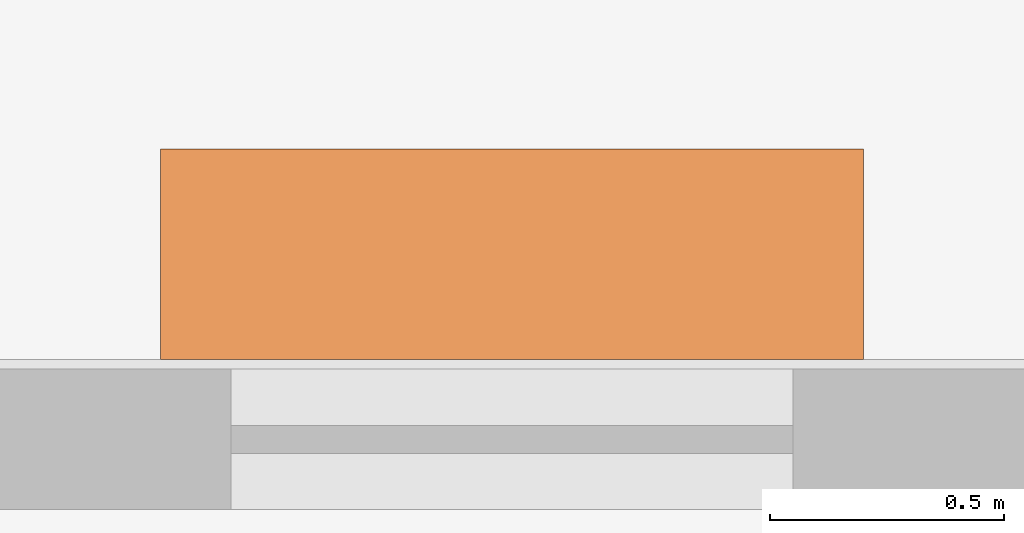
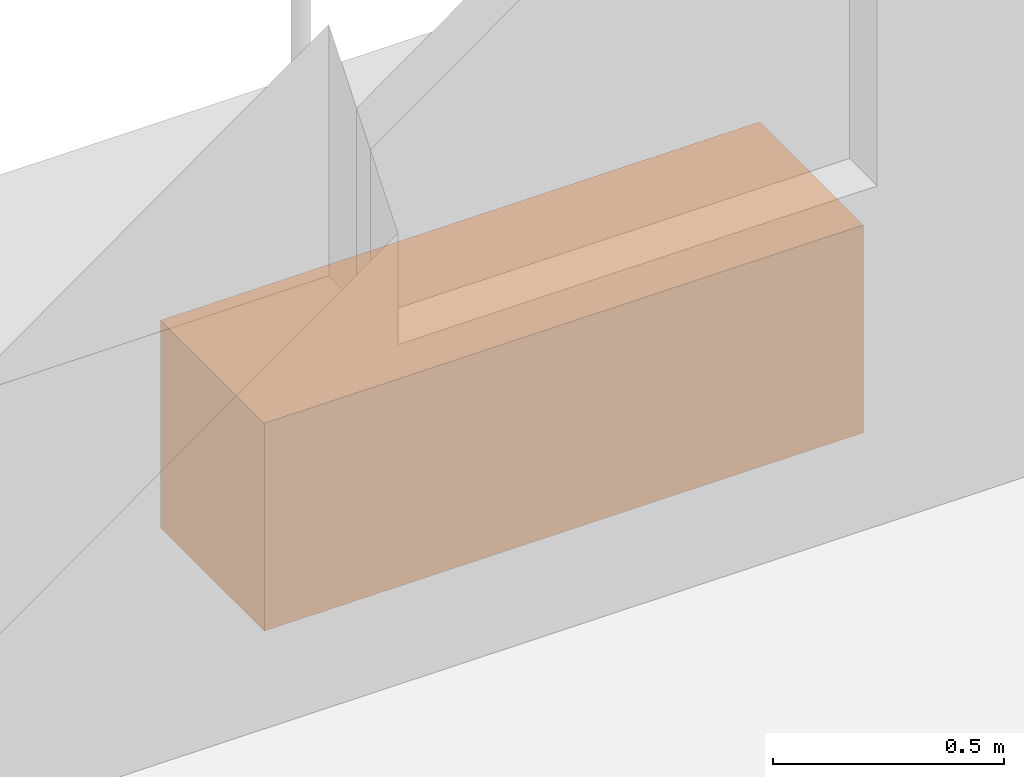
# One storey, part 9 of 9: 1 proxy.
"""IFC4 building model written with IfcOpenShell, lengths in metres."""

import ifcopenshell
import ifcopenshell.guid

model = None  # the IFC model being written
_history = None  # IfcOwnerHistory: only IFC2X3 demands one
_inside = {}  # id of a spatial element -> (the spatial element, [elements in it])
_under = {}  # id of a project, library or spatial element -> (it, [spatial elements below it])
_declared = {}  # id of a project -> (the project, [libraries it declares])
_typed = {}  # id of a type object -> (the type object, [elements of that type])
_made_of = {}  # id of a material, layer set ... -> (it, [elements and type objects made of it])


def new_model(schema):
    """Start an empty IFC model of exactly this schema.

    Asked for "IFC4X3", IfcOpenShell would pick the latest addendum, in which some entities
    have other attributes; the version numbers below select the first issue.
    IFC2X3 requires an IfcOwnerHistory on every rooted entity: one is made here for all.
    """
    global model, _history
    if schema == "IFC4X3":
        model = ifcopenshell.file(schema_version=(4, 3, 0, 0))
    else:
        model = ifcopenshell.file(schema=schema)
    _inside.clear()
    _under.clear()
    _declared.clear()
    _typed.clear()
    _made_of.clear()
    _history = None
    if model.schema == "IFC2X3":
        org = make("IfcOrganization", Name="unknown")
        user = make(
            "IfcPersonAndOrganization",
            ThePerson=make("IfcPerson", FamilyName="unknown"),
            TheOrganization=org,
        )
        app = make(
            "IfcApplication",
            ApplicationDeveloper=org,
            Version="unknown",
            ApplicationFullName="unknown",
            ApplicationIdentifier="unknown",
        )
        _history = make(
            "IfcOwnerHistory",
            OwningUser=user,
            OwningApplication=app,
            ChangeAction="ADDED",
            CreationDate=0,
        )
    return model


def make(cls, **values):
    """One entity of the class cls with the attributes given. An attribute that is None is left unset."""
    return model.create_entity(
        cls, **{name: value for name, value in values.items() if value is not None}
    )


def rooted(cls, **values):
    """An entity with a GlobalId (a new one), such as an element, a storey or a relation."""
    return make(cls, GlobalId=ifcopenshell.guid.new(), OwnerHistory=_history, **values)


def si_unit(unit_type, name, prefix=None):
    """IfcSIUnit, for example si_unit("LENGTHUNIT", "METRE", prefix="MILLI")."""
    return make("IfcSIUnit", UnitType=unit_type, Prefix=prefix, Name=name)


def assignment(units):
    """IfcUnitAssignment: the units of a project."""
    return None if units is None else make("IfcUnitAssignment", Units=units)


def point(xyz):
    """IfcCartesianPoint."""
    return None if xyz is None else make("IfcCartesianPoint", Coordinates=xyz)


def direction(xyz):
    """IfcDirection."""
    return None if xyz is None else make("IfcDirection", DirectionRatios=xyz)


def frame(location, z_axis=None, x_axis=None):
    """IfcAxis2Placement3D, a coordinate frame: its origin and axes. An axis left out is left unset."""
    return make(
        "IfcAxis2Placement3D",
        Location=point(location),
        Axis=direction(z_axis),
        RefDirection=direction(x_axis),
    )


def frame_2d(location, x_axis=None):
    """IfcAxis2Placement2D, a coordinate frame in the plane: its origin and x axis."""
    return make(
        "IfcAxis2Placement2D", Location=point(location), RefDirection=direction(x_axis)
    )


def origin():
    """The frame at (0, 0, 0) with its axes left unset."""
    return frame((0.0, 0.0, 0.0))


def origin_2d():
    """The frame at (0, 0) in the plane with its x axis left unset."""
    return frame_2d((0.0, 0.0))


def place(relative_to, where):
    """IfcLocalPlacement: puts the frame where relative to a parent placement (None: the world)."""
    return make(
        "IfcLocalPlacement", PlacementRelTo=relative_to, RelativePlacement=where
    )


def context(
    kind, dimensions, precision=None, world=None, true_north=None, identifier=None
):
    """IfcGeometricRepresentationContext, for example the 3D "Model" context."""
    return make(
        "IfcGeometricRepresentationContext",
        ContextIdentifier=identifier,
        ContextType=kind,
        CoordinateSpaceDimension=dimensions,
        Precision=precision,
        WorldCoordinateSystem=world,
        TrueNorth=true_north,
    )


def subcontext(parent, identifier, kind, view, scale=None):
    """IfcGeometricRepresentationSubContext, for example "Body" below "Model"."""
    return make(
        "IfcGeometricRepresentationSubContext",
        ContextIdentifier=identifier,
        ContextType=kind,
        ParentContext=parent,
        TargetScale=scale,
        TargetView=view,
    )


def project(units=None, contexts=None):
    """IfcProject with its units and contexts."""
    return rooted(
        "IfcProject",
        Name="project",
        RepresentationContexts=contexts,
        UnitsInContext=assignment(units),
    )


def spatial(cls, under=None, at=None, **own):
    """A site, building, storey or space (cls), placed at a placement, below another one or the project."""
    s = rooted(cls, ObjectPlacement=at, **own)
    if under is not None:
        _under.setdefault(under.id(), (under, []))[1].append(s)
    return s


def profile(cls, at=None, kind="AREA", **sizes):
    """A parametric profile (cls). Its sizes go by their IFC names, for example OverallWidth=200.0."""
    return make(cls, ProfileType=kind, Position=at, **sizes)


def rectangle(**sizes):
    """IfcRectangleProfileDef."""
    return profile("IfcRectangleProfileDef", **sizes)


def extrude(swept, where, along, depth):
    """IfcExtrudedAreaSolid: the profile swept, set in the frame where, extruded along a direction by depth."""
    return make(
        "IfcExtrudedAreaSolid",
        SweptArea=swept,
        Position=where,
        ExtrudedDirection=direction(along),
        Depth=depth,
    )


def shape(context_of_items, identifier, shape_type, items):
    """IfcShapeRepresentation: the items that make up one representation, for example the "Body"."""
    return make(
        "IfcShapeRepresentation",
        ContextOfItems=context_of_items,
        RepresentationIdentifier=identifier,
        RepresentationType=shape_type,
        Items=items,
    )


def made_of(thing, what):
    """Note that an element or type object is made of a material, layer set ...; save() writes the relation."""
    if what is not None:
        _made_of.setdefault(what.id(), (what, []))[1].append(thing)
    return thing


def element(
    cls,
    number,
    at=None,
    inside=None,
    cuts=None,
    type_object=None,
    material=None,
    context=None,
    identifier="Body",
    shape_type=None,
    held_by="IfcProductDefinitionShape",
    body=None,
    shapes=None,
    **own,
):
    """One element of the class cls, such as IfcWall. Its Tag is "e" and its number.

    at: its placement. inside: the storey or other place that contains it. cuts: it is an
    opening in that element (IfcRelVoidsElement). A single representation is given by context,
    identifier, shape_type and body (its items); several are given by shapes. held_by: the class
    of the entity that holds the representations. save() writes the other relations.
    """
    e = rooted(cls, Tag="e%d" % number, ObjectPlacement=at, **own)
    if body is not None:
        shapes = [shape(context, identifier, shape_type, body)]
    if shapes is not None:
        e.Representation = make(held_by, Representations=shapes)
    if inside is not None:
        _inside.setdefault(inside.id(), (inside, []))[1].append(e)
    if cuts is not None:
        rooted(
            "IfcRelVoidsElement", RelatingBuildingElement=cuts, RelatedOpeningElement=e
        )
    if type_object is not None:
        _typed.setdefault(type_object.id(), (type_object, []))[1].append(e)
    return made_of(e, material)


def aggregate(whole, parts):
    """IfcRelAggregates: a whole, such as a stair, and the parts it consists of."""
    return rooted("IfcRelAggregates", RelatingObject=whole, RelatedObjects=parts)


def save(model, path):
    """Write the relations noted so far, then the file.

    IfcRelAggregates (storeys below a building ...), IfcRelContainedInSpatialStructure (elements
    in a storey), IfcRelDefinesByType, IfcRelAssociatesMaterial and IfcRelDeclares: one each for
    every whole, place, type object, material and project.
    """
    for whole, parts in _under.values():
        aggregate(whole, parts)
    for where, things in _inside.values():
        rooted(
            "IfcRelContainedInSpatialStructure",
            RelatedElements=things,
            RelatingStructure=where,
        )
    for kind, things in _typed.values():
        rooted("IfcRelDefinesByType", RelatedObjects=things, RelatingType=kind)
    for what, things in _made_of.values():
        rooted("IfcRelAssociatesMaterial", RelatedObjects=things, RelatingMaterial=what)
    for by, libraries in _declared.values():
        rooted("IfcRelDeclares", RelatingContext=by, RelatedDefinitions=libraries)
    model.write(path)


model = new_model("IFC4")

# Units and contexts
model_context = context("Model", 3, precision=1e-05, world=origin(), true_north=direction((0.0, 1.0)))
body_context = subcontext(model_context, "Body", "Model", "MODEL_VIEW")
ifc_project = project(units=[si_unit("LENGTHUNIT", "METRE"), si_unit("AREAUNIT", "SQUARE_METRE"), si_unit("VOLUMEUNIT", "CUBIC_METRE"), si_unit("PLANEANGLEUNIT", "RADIAN"), si_unit("MASSUNIT", "GRAM", prefix="KILO")], contexts=[model_context])

# Site, building, storey
site_placement = place(None, origin())
site = spatial("IfcSite", under=ifc_project, at=site_placement, CompositionType="ELEMENT")
building_placement = place(site_placement, origin())
building = spatial("IfcBuilding", under=site, at=building_placement, Name="Candeia Pilgrim Tower and Theatre", CompositionType="ELEMENT")
storey_placement = place(building_placement, frame((0.0, 0.0, 303.39990234375)))
storey = spatial("IfcBuildingStorey", under=building, at=storey_placement, Name="L74", CompositionType="ELEMENT", Elevation=303.39990234375)

# Proxy
proxy_placement = place(storey_placement, frame((128.10009765625, 143.544921875, 0.0), z_axis=(0.0, 0.0, 1.0), x_axis=(-1.0, 0.0, 0.0)))
element("IfcBuildingElementProxy", 1, at=proxy_placement, inside=storey, Name="Planter", ObjectType="PLANTER", PredefinedType="USERDEFINED", context=body_context, shape_type="SweptSolid", body=[
    extrude(rectangle(XDim=1.5, YDim=0.449951171875, at=origin_2d()), origin(), (0.0, 0.0, 1.0), 0.550048828125),
])

save(model, "model.ifc")
